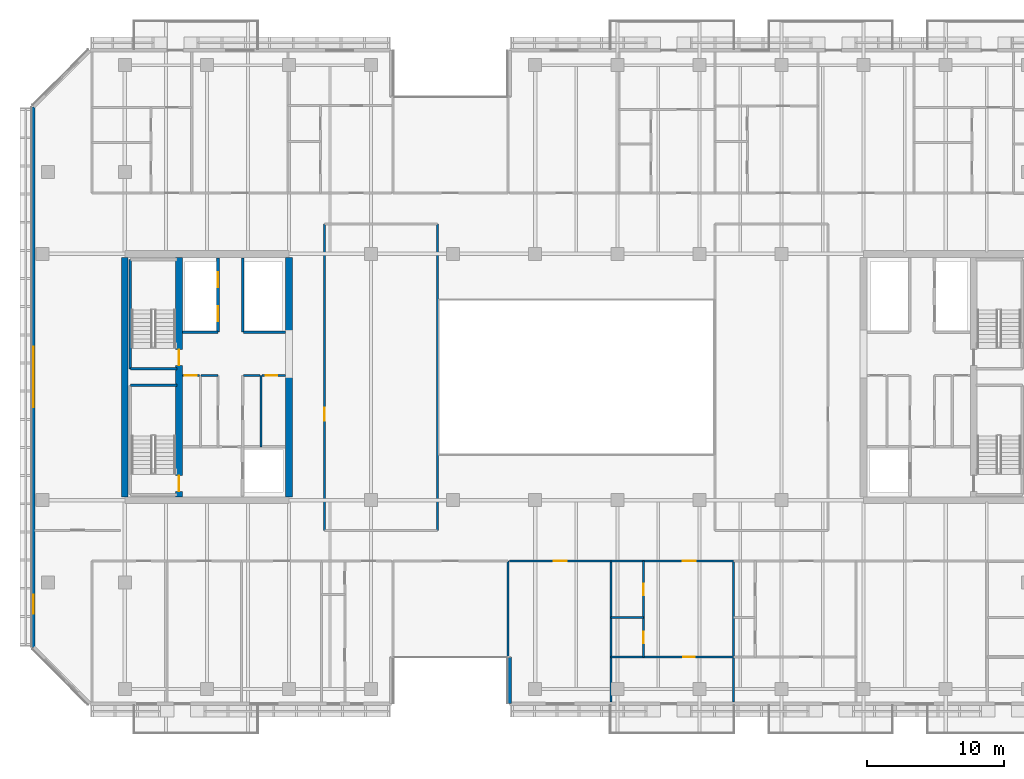
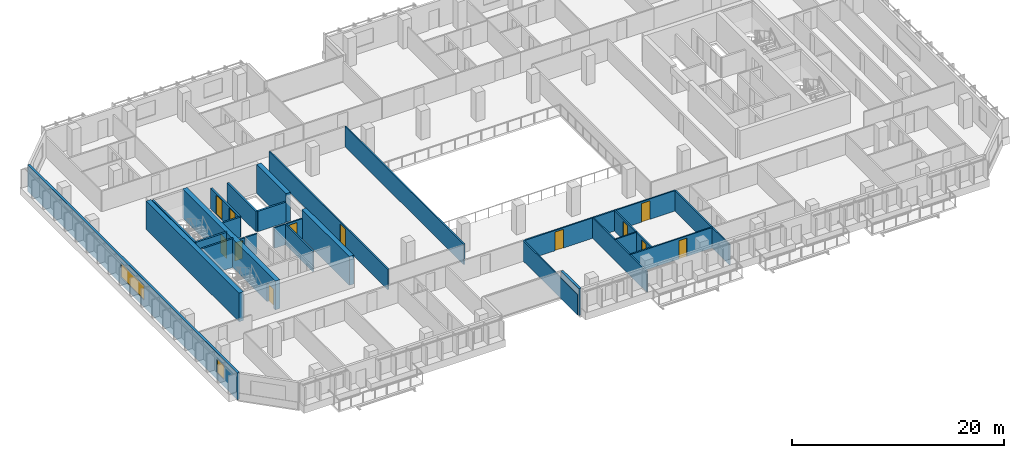
# One storey, part 11 of 23: 28 walls, 12 doors, 2 windows, 14 openings.
"""IFC4 building model written with IfcOpenShell, lengths in metres."""

from ifc_helpers import new_model, si_unit, direction, frame, frame_2d, origin, place, context, subcontext, project, spatial, rectangle, extrude, material, layer, layer_set, type_object, element, fill, save


model = new_model("IFC4")

# Units and contexts
model_context = context("Model", 3, precision=1e-05, world=origin(), true_north=direction((0.0, 1.0)))
body_context = subcontext(model_context, "Body", "Model", "MODEL_VIEW")
ifc_project = project(units=[si_unit("LENGTHUNIT", "METRE"), si_unit("AREAUNIT", "SQUARE_METRE"), si_unit("VOLUMEUNIT", "CUBIC_METRE"), si_unit("PLANEANGLEUNIT", "RADIAN"), si_unit("MASSUNIT", "GRAM", prefix="KILO")], contexts=[model_context])

# Site, building, storey
site_placement = place(None, origin())
site = spatial("IfcSite", under=ifc_project, at=site_placement, CompositionType="ELEMENT")
building_placement = place(site_placement, origin())
building = spatial("IfcBuilding", under=site, at=building_placement, Name="Tanjung Sevakor Pilgrim Tower", CompositionType="ELEMENT")
storey_placement = place(building_placement, frame((0.0, 0.0, 105.27001953125)))
storey = spatial("IfcBuildingStorey", under=building, at=storey_placement, Name="L29", CompositionType="ELEMENT", Elevation=105.27001953125)

# Walls
ifc_material_1 = material(Name="Concrete C60/75", Category="concrete")
ifc_layer_1 = layer(ifc_material_1, 0.5)
ifc_layer_set_1 = layer_set([ifc_layer_1], Name="WALL-CW-500")
wall_type_1 = type_object("IfcWallType", Name="WALL-CW-500", PredefinedType="SHEAR", material=ifc_layer_set_1)
wall_1_placement = place(storey_placement, frame((24.0, 24.85009765625, 0.0), z_axis=(0.0, 0.0, 1.0), x_axis=(0.0, 1.0, 0.0)))
element("IfcWall", 1, at=wall_1_placement, inside=storey, type_object=wall_type_1, Name="L29 W Core Outer Shear Wall", PredefinedType="SHEAR", context=body_context, shape_type="SweptSolid", body=[
    extrude(rectangle(XDim=17.5, YDim=0.5, at=frame_2d((8.75, 0.0))), origin(), (0.0, 0.0, 1.0), 3.300048828125),
])
wall_2_placement = place(storey_placement, frame((36.0, 24.85009765625, 0.0), z_axis=(0.0, 0.0, 1.0), x_axis=(0.0, 1.0, 0.0)))
element("IfcWall", 2, at=wall_2_placement, inside=storey, type_object=wall_type_1, Name="L29 W Core Inner Shear Wall South", PredefinedType="SHEAR", context=body_context, shape_type="SweptSolid", body=[
    extrude(rectangle(XDim=8.949951171875, YDim=0.5, at=frame_2d((4.47509765625, 0.0))), origin(), (0.0, 0.0, 1.0), 3.300048828125),
])
wall_3_placement = place(storey_placement, frame((36.0, 36.800048828125, 0.0), z_axis=(0.0, 0.0, 1.0), x_axis=(0.0, 1.0, 0.0)))
element("IfcWall", 3, at=wall_3_placement, inside=storey, type_object=wall_type_1, Name="L29 W Core Inner Shear Wall North", PredefinedType="SHEAR", context=body_context, shape_type="SweptSolid", body=[
    extrude(rectangle(XDim=5.550048828125, YDim=0.5, at=frame_2d((2.77490234375, 0.0))), origin(), (0.0, 0.0, 1.0), 3.300048828125),
])

# Wall, openings, doors
wall_4_placement = place(storey_placement, frame((27.949951171875, 24.85009765625, 0.0), z_axis=(0.0, 0.0, 1.0), x_axis=(0.0, 1.0, 0.0)))
wall_4 = element("IfcWall", 4, at=wall_4_placement, inside=storey, type_object=wall_type_1, Name="L29 W Core Stair Spine Wall", PredefinedType="SHEAR", context=body_context, shape_type="SweptSolid", body=[
    extrude(rectangle(XDim=17.5, YDim=0.5, at=frame_2d((8.75, 0.0))), origin(), (0.0, 0.0, 1.0), 3.300048828125),
])
opening_1_placement = place(wall_4_placement, frame((0.39990234375, 0.0, 0.0)))
opening_1 = element("IfcOpeningElement", 5, at=opening_1_placement, cuts=wall_4, Name="Opening ID-ST1", PredefinedType="OPENING", context=body_context, shape_type="SweptSolid", body=[
    extrude(rectangle(XDim=1.14990234375, YDim=2.14990234375, at=frame_2d((0.574951171875, 1.074951171875))), frame((0.0, 0.260009765625, 0.0), z_axis=(0.0, -1.0, 0.0), x_axis=(1.0, 0.0, 0.0)), (0.0, 0.0, 1.0), 0.52001953125),
])
opening_2_placement = place(wall_4_placement, frame((9.60009765625, 0.0, 0.0)))
opening_2 = element("IfcOpeningElement", 6, at=opening_2_placement, cuts=wall_4, Name="Opening ID-ST1", PredefinedType="OPENING", context=body_context, shape_type="SweptSolid", body=[
    extrude(rectangle(XDim=1.14990234375, YDim=2.14990234375, at=frame_2d((0.574951171875, 1.074951171875))), frame((0.0, 0.260009765625, 0.0), z_axis=(0.0, -1.0, 0.0), x_axis=(1.0, 0.0, 0.0)), (0.0, 0.0, 1.0), 0.52001953125),
])
ifc_material_2 = material(Name="Fire-Rated Steel S355J2", Category="steel")
door_type_1 = type_object("IfcDoorType", Name="DT-FIRE-1150", OperationType="NOTDEFINED", PredefinedType="DOOR", material=ifc_material_2)
door_1_placement = place(opening_1_placement, origin())
door_1 = element("IfcDoor", 7, at=door_1_placement, inside=storey, type_object=door_type_1, Name="L29 TS-W1 Stair Fire Door", OperationType="SINGLE_SWING_RIGHT", OverallHeight=2.14990234375, OverallWidth=1.14990234375, PredefinedType="DOOR", context=body_context, shape_type="SweptSolid", body=[
    extrude(rectangle(XDim=1.14990234375, YDim=2.14990234375, at=frame_2d((0.574951171875, 1.074951171875))), frame((0.0, 0.02490234375, 0.0), z_axis=(0.0, -1.0, 0.0), x_axis=(1.0, 0.0, 0.0)), (0.0, 0.0, 1.0), 0.050048828125),
])
fill(opening_1, door_1)
door_2_placement = place(opening_2_placement, origin())
door_2 = element("IfcDoor", 8, at=door_2_placement, inside=storey, type_object=door_type_1, Name="L29 TS-W2 Stair Fire Door", OperationType="SINGLE_SWING_LEFT", OverallHeight=2.14990234375, OverallWidth=1.14990234375, PredefinedType="DOOR", context=body_context, shape_type="SweptSolid", body=[
    extrude(rectangle(XDim=1.14990234375, YDim=2.14990234375, at=frame_2d((0.574951171875, 1.074951171875))), frame((0.0, 0.02490234375, 0.0), z_axis=(0.0, -1.0, 0.0), x_axis=(1.0, 0.0, 0.0)), (0.0, 0.0, 1.0), 0.050048828125),
])
fill(opening_2, door_2)

# Wall, opening, door
ifc_material_3 = material(Name="Concrete C40/50", Category="concrete")
ifc_layer_2 = layer(ifc_material_3, 0.14990234375)
ifc_layer_set_2 = layer_set([ifc_layer_2], Name="WT-COMP-150")
wall_type_2 = type_object("IfcWallType", Name="WT-COMP-150", PredefinedType="SOLIDWALL", material=ifc_layer_set_2)
wall_5_placement = place(storey_placement, frame((28.219970703125, 33.719970703125, 0.0), z_axis=(0.0, 0.0, 1.0), x_axis=(1.0, 0.0, 0.0)))
wall_5 = element("IfcWall", 9, at=wall_5_placement, inside=storey, type_object=wall_type_2, Name="L29 Partition IW-L29-004", PredefinedType="SOLIDWALL", context=body_context, shape_type="SweptSolid", body=[
    extrude(rectangle(XDim=1.22998046875, YDim=0.14990234375, at=frame_2d((0.614990234375, 0.0))), origin(), (0.0, 0.0, 1.0), 2.35009765625),
])
opening_3_placement = place(wall_5_placement, frame((0.179931640625, 0.0, 0.0)))
opening_3 = element("IfcOpeningElement", 10, at=opening_3_placement, cuts=wall_5, Name="Opening ID-FD3", PredefinedType="OPENING", context=body_context, shape_type="SweptSolid", body=[
    extrude(rectangle(XDim=0.85009765625, YDim=2.10009765625, at=frame_2d((0.425048828125, 1.050048828125))), frame((0.0, 0.0849609375, 0.0), z_axis=(0.0, -1.0, 0.0), x_axis=(1.0, 0.0, 0.0)), (0.0, 0.0, 1.0), 0.169921875),
])
ifc_material_4 = material(Name="Fire-Rated Timber", Category="wood")
door_type_2 = type_object("IfcDoorType", Name="DT-FIRE-850", OperationType="NOTDEFINED", PredefinedType="DOOR", material=ifc_material_4)
door_3_placement = place(opening_3_placement, origin())
door_3 = element("IfcDoor", 11, at=door_3_placement, inside=storey, type_object=door_type_2, Name="L29 Cleaner Store Door", OperationType="SINGLE_SWING_LEFT", OverallHeight=2.10009765625, OverallWidth=0.85009765625, PredefinedType="DOOR", context=body_context, shape_type="SweptSolid", body=[
    extrude(rectangle(XDim=0.85009765625, YDim=2.10009765625, at=frame_2d((0.425048828125, 1.050048828125))), frame((0.0, 0.02490234375, 0.0), z_axis=(0.0, -1.0, 0.0), x_axis=(1.0, 0.0, 0.0)), (0.0, 0.0, 1.0), 0.050048828125),
])
fill(opening_3, door_3)

# Walls
wall_6_placement = place(storey_placement, frame((29.580078125, 33.719970703125, 0.0), z_axis=(0.0, 0.0, 1.0), x_axis=(1.0, 0.0, 0.0)))
element("IfcWall", 12, at=wall_6_placement, inside=storey, type_object=wall_type_2, Name="L29 Partition IW-L29-005", PredefinedType="SOLIDWALL", context=body_context, shape_type="SweptSolid", body=[
    extrude(rectangle(XDim=1.219970703125, YDim=0.14990234375, at=frame_2d((0.60986328125, 0.0))), origin(), (0.0, 0.0, 1.0), 2.35009765625),
])
wall_7_placement = place(storey_placement, frame((33.949951171875, 28.5, 0.0), z_axis=(0.0, 0.0, 1.0), x_axis=(0.0, 1.0, 0.0)))
element("IfcWall", 13, at=wall_7_placement, inside=storey, type_object=wall_type_2, Name="L29 Partition IW-L29-007", PredefinedType="SOLIDWALL", context=body_context, shape_type="SweptSolid", body=[
    extrude(rectangle(XDim=5.219970703125, YDim=0.14990234375, at=frame_2d((2.60986328125, 0.0))), origin(), (0.0, 0.0, 1.0), 2.35009765625),
])
wall_8_placement = place(storey_placement, frame((32.679931640625, 33.719970703125, 0.0), z_axis=(0.0, 0.0, 1.0), x_axis=(1.0, 0.0, 0.0)))
element("IfcWall", 14, at=wall_8_placement, inside=storey, type_object=wall_type_2, Name="L29 Partition IW-L29-008", PredefinedType="SOLIDWALL", context=body_context, shape_type="SweptSolid", body=[
    extrude(rectangle(XDim=1.2099609375, YDim=0.14990234375, at=frame_2d((0.60498046875, 0.0))), origin(), (0.0, 0.0, 1.0), 2.35009765625),
])

# Wall, opening, door
wall_9_placement = place(storey_placement, frame((34.010009765625, 33.719970703125, 0.0), z_axis=(0.0, 0.0, 1.0), x_axis=(1.0, 0.0, 0.0)))
wall_9 = element("IfcWall", 15, at=wall_9_placement, inside=storey, type_object=wall_type_2, Name="L29 Partition IW-L29-009", PredefinedType="SOLIDWALL", context=body_context, shape_type="SweptSolid", body=[
    extrude(rectangle(XDim=1.719970703125, YDim=0.14990234375, at=frame_2d((0.85986328125, 0.0))), origin(), (0.0, 0.0, 1.0), 2.35009765625),
])
opening_4_placement = place(wall_9_placement, frame((0.280029296875, 0.0, 0.0)))
opening_4 = element("IfcOpeningElement", 16, at=opening_4_placement, cuts=wall_9, Name="Opening ID-FD3", PredefinedType="OPENING", context=body_context, shape_type="SweptSolid", body=[
    extrude(rectangle(XDim=0.85009765625, YDim=2.10009765625, at=frame_2d((0.425048828125, 1.050048828125))), frame((0.0, 0.0849609375, 0.0), z_axis=(0.0, -1.0, 0.0), x_axis=(1.0, 0.0, 0.0)), (0.0, 0.0, 1.0), 0.169921875),
])
door_4_placement = place(opening_4_placement, origin())
door_4 = element("IfcDoor", 17, at=door_4_placement, inside=storey, type_object=door_type_2, Name="L29 Service Store Door", OperationType="SINGLE_SWING_LEFT", OverallHeight=2.10009765625, OverallWidth=0.85009765625, PredefinedType="DOOR", context=body_context, shape_type="SweptSolid", body=[
    extrude(rectangle(XDim=0.85009765625, YDim=2.10009765625, at=frame_2d((0.425048828125, 1.050048828125))), frame((0.0, 0.02490234375, 0.0), z_axis=(0.0, -1.0, 0.0), x_axis=(1.0, 0.0, 0.0)), (0.0, 0.0, 1.0), 0.050048828125),
])
fill(opening_4, door_4)

wall_10_placement = place(storey_placement, frame((38.60009765625, 22.39990234375, 0.0), z_axis=(0.0, 0.0, 1.0), x_axis=(0.0, 1.0, 0.0)))
wall_10 = element("IfcWall", 18, at=wall_10_placement, inside=storey, type_object=wall_type_2, Name="L29 Partition IW-L29-031", PredefinedType="SOLIDWALL", context=body_context, shape_type="SweptSolid", body=[
    extrude(rectangle(XDim=22.400146484375, YDim=0.14990234375, at=frame_2d((11.2001953125, 0.0))), origin(), (0.0, 0.0, 1.0), 2.35009765625),
])
opening_5_placement = place(wall_10_placement, frame((8.02490234375, 0.0, 0.0)))
opening_5 = element("IfcOpeningElement", 19, at=opening_5_placement, cuts=wall_10, Name="Opening ID-RM1", PredefinedType="OPENING", context=body_context, shape_type="SweptSolid", body=[
    extrude(rectangle(XDim=0.949951171875, YDim=2.14990234375, at=frame_2d((0.47509765625, 1.074951171875))), frame((0.0, 0.0849609375, 0.0), z_axis=(0.0, -1.0, 0.0), x_axis=(1.0, 0.0, 0.0)), (0.0, 0.0, 1.0), 0.169921875),
])
ifc_material_5 = material(Name="Hardwood Timber", Category="wood")
door_type_3 = type_object("IfcDoorType", Name="DT-INT-950", OperationType="NOTDEFINED", PredefinedType="DOOR", material=ifc_material_5)
door_5_placement = place(opening_5_placement, origin())
door_5 = element("IfcDoor", 20, at=door_5_placement, inside=storey, type_object=door_type_3, Name="L29 Central West Room Door", OperationType="SINGLE_SWING_LEFT", OverallHeight=2.14990234375, OverallWidth=0.949951171875, PredefinedType="DOOR", context=body_context, shape_type="SweptSolid", body=[
    extrude(rectangle(XDim=0.949951171875, YDim=2.14990234375, at=frame_2d((0.47509765625, 1.074951171875))), frame((0.0, 0.02490234375, 0.0), z_axis=(0.0, -1.0, 0.0), x_axis=(1.0, 0.0, 0.0)), (0.0, 0.0, 1.0), 0.050048828125),
])
fill(opening_5, door_5)

# Walls
wall_11_placement = place(storey_placement, frame((46.85009765625, 22.39990234375, 0.0), z_axis=(0.0, 0.0, 1.0), x_axis=(0.0, 1.0, 0.0)))
element("IfcWall", 21, at=wall_11_placement, inside=storey, type_object=wall_type_2, Name="L29 Partition IW-L29-032", PredefinedType="SOLIDWALL", context=body_context, shape_type="SweptSolid", body=[
    extrude(rectangle(XDim=22.400146484375, YDim=0.14990234375, at=frame_2d((11.2001953125, 0.0))), origin(), (0.0, 0.0, 1.0), 2.35009765625),
])
for number, where, z_axis, x_axis, name in (
    (22, (52.0, 9.85009765625, 0.0), (0.0, 0.0, 1.0), (0.0, 1.0, 0.0), "L29 Partition IW-L29-047"),
    (23, (59.536376953125, 9.85009765625, 0.0), (0.0, 0.0, 1.0), (0.0, 1.0, 0.0), "L29 Partition IW-L29-062"),
):
    element("IfcWall", number, at=place(storey_placement, frame(where, z_axis=z_axis, x_axis=x_axis)), inside=storey, type_object=wall_type_2, Name=name, PredefinedType="SOLIDWALL", context=body_context, shape_type="SweptSolid", body=[
        extrude(rectangle(XDim=10.2998046875, YDim=0.14990234375, at=frame_2d((5.14990234375, 0.0))), origin(), (0.0, 0.0, 1.0), 2.35009765625),
    ])

# Wall, opening, door
wall_12_placement = place(storey_placement, frame((52.1201171875, 20.14990234375, 0.0), z_axis=(0.0, 0.0, 1.0), x_axis=(1.0, 0.0, 0.0)))
wall_12 = element("IfcWall", 24, at=wall_12_placement, inside=storey, type_object=wall_type_2, Name="L29 Partition IW-L29-063", PredefinedType="SOLIDWALL", context=body_context, shape_type="SweptSolid", body=[
    extrude(rectangle(XDim=7.416259765625, YDim=0.14990234375, at=frame_2d((3.7080078125, 0.0))), origin(), (0.0, 0.0, 1.0), 2.35009765625),
])
opening_6_placement = place(wall_12_placement, frame((3.233154296875, 0.0, 0.0)))
opening_6 = element("IfcOpeningElement", 25, at=opening_6_placement, cuts=wall_12, Name="Opening ID-FD2", PredefinedType="OPENING", context=body_context, shape_type="SweptSolid", body=[
    extrude(rectangle(XDim=0.949951171875, YDim=2.14990234375, at=frame_2d((0.47509765625, 1.074951171875))), frame((0.0, 0.0849609375, 0.0), z_axis=(0.0, -1.0, 0.0), x_axis=(1.0, 0.0, 0.0)), (0.0, 0.0, 1.0), 0.169921875),
])
ifc_material_6 = material(Name="Fire-Rated Timber", Category="wood")
door_type_4 = type_object("IfcDoorType", Name="DT-FIRE-950", OperationType="NOTDEFINED", PredefinedType="DOOR", material=ifc_material_6)
door_6_placement = place(opening_6_placement, origin())
door_6 = element("IfcDoor", 26, at=door_6_placement, inside=storey, type_object=door_type_4, Name="Housekeeping Pantry Door", OperationType="SINGLE_SWING_LEFT", OverallHeight=2.14990234375, OverallWidth=0.949951171875, PredefinedType="DOOR", context=body_context, shape_type="SweptSolid", body=[
    extrude(rectangle(XDim=0.949951171875, YDim=2.14990234375, at=frame_2d((0.47509765625, 1.074951171875))), frame((0.0, 0.02490234375, 0.0), z_axis=(0.0, -1.0, 0.0), x_axis=(1.0, 0.0, 0.0)), (0.0, 0.0, 1.0), 0.050048828125),
])
fill(opening_6, door_6)

# Wall
wall_13_placement = place(storey_placement, frame((68.497802734375, 9.85009765625, 0.0), z_axis=(0.0, 0.0, 1.0), x_axis=(0.0, 1.0, 0.0)))
element("IfcWall", 27, at=wall_13_placement, inside=storey, type_object=wall_type_2, Name="L29 Partition IW-L29-064", PredefinedType="SOLIDWALL", context=body_context, shape_type="SweptSolid", body=[
    extrude(rectangle(XDim=10.2998046875, YDim=0.14990234375, at=frame_2d((5.14990234375, 0.0))), origin(), (0.0, 0.0, 1.0), 2.35009765625),
])

# Wall, opening, door
wall_14_placement = place(storey_placement, frame((59.536376953125, 20.14990234375, 0.0), z_axis=(0.0, 0.0, 1.0), x_axis=(1.0, 0.0, 0.0)))
wall_14 = element("IfcWall", 28, at=wall_14_placement, inside=storey, type_object=wall_type_2, Name="L29 Partition IW-L29-068", PredefinedType="SOLIDWALL", context=body_context, shape_type="SweptSolid", body=[
    extrude(rectangle(XDim=8.96142578125, YDim=0.14990234375, at=frame_2d((4.480712890625, 0.0))), origin(), (0.0, 0.0, 1.0), 2.35009765625),
])
opening_7_placement = place(wall_14_placement, frame((5.237548828125, 0.0, 0.0)))
opening_7 = element("IfcOpeningElement", 29, at=opening_7_placement, cuts=wall_14, Name="Opening ID-FD2", PredefinedType="OPENING", context=body_context, shape_type="SweptSolid", body=[
    extrude(rectangle(XDim=0.949951171875, YDim=2.14990234375, at=frame_2d((0.47509765625, 1.074951171875))), frame((0.0, 0.0849609375, 0.0), z_axis=(0.0, -1.0, 0.0), x_axis=(1.0, 0.0, 0.0)), (0.0, 0.0, 1.0), 0.169921875),
])
door_7_placement = place(opening_7_placement, origin())
door_7 = element("IfcDoor", 30, at=door_7_placement, inside=storey, type_object=door_type_4, Name="Residence Entrance", OperationType="SINGLE_SWING_LEFT", OverallHeight=2.14990234375, OverallWidth=0.949951171875, PredefinedType="DOOR", context=body_context, shape_type="SweptSolid", body=[
    extrude(rectangle(XDim=0.949951171875, YDim=2.14990234375, at=frame_2d((0.47509765625, 1.074951171875))), frame((0.0, 0.02490234375, 0.0), z_axis=(0.0, -1.0, 0.0), x_axis=(1.0, 0.0, 0.0)), (0.0, 0.0, 1.0), 0.050048828125),
])
fill(opening_7, door_7)

# Wall
ifc_material_7 = material(Name="Precast concrete C45/55", Category="concrete")
ifc_layer_3 = layer(ifc_material_7, 0.25)
ifc_layer_set_3 = layer_set([ifc_layer_3], Name="WT-EW-STN3")
wall_type_3 = type_object("IfcWallType", Name="WT-EW-STN3", PredefinedType="SOLIDWALL", material=ifc_layer_set_3)
wall_15_placement = place(storey_placement, frame((52.125, 13.125, 0.0), z_axis=(0.0, 0.0, 1.0), x_axis=(0.0, -1.0, 0.0)))
element("IfcWall", 31, at=wall_15_placement, inside=storey, type_object=wall_type_3, Name="L29 MAIN Exterior Wall 4", PredefinedType="SOLIDWALL", context=body_context, shape_type="SweptSolid", body=[
    extrude(rectangle(XDim=3.39990234375, YDim=0.25, at=frame_2d((1.699951171875, 0.0))), origin(), (0.0, 0.0, 1.0), 3.080078125),
])

# Wall, openings, windows
wall_16_placement = place(storey_placement, frame((17.324951171875, 53.34814453125, 0.0), z_axis=(0.0, 0.0, 1.0), x_axis=(0.0, -1.0, 0.0)))
wall_16 = element("IfcWall", 32, at=wall_16_placement, inside=storey, type_object=wall_type_3, Name="L29 MAIN Exterior Wall 15", PredefinedType="SOLIDWALL", context=body_context, shape_type="SweptSolid", body=[
    extrude(rectangle(XDim=39.496337890625, YDim=0.25, at=frame_2d((19.748046875, 0.0))), origin(), (0.0, 0.0, 1.0), 3.080078125),
])
opening_8_placement = place(wall_16_placement, frame((17.548095703125, 0.0, 0.780029296875)))
opening_8 = element("IfcOpeningElement", 33, at=opening_8_placement, cuts=wall_16, Name="Opening WN-ENDW-1660", PredefinedType="OPENING", context=body_context, shape_type="SweptSolid", body=[
    extrude(rectangle(XDim=4.39990234375, YDim=1.659912109375, at=frame_2d((2.199951171875, 0.830078125))), frame((0.0, 0.135009765625, 0.0), z_axis=(0.0, -1.0, 0.0), x_axis=(1.0, 0.0, 0.0)), (0.0, 0.0, 1.0), 0.27001953125),
])
opening_9_placement = place(wall_16_placement, frame((35.642333984375, 0.0, 0.780029296875)))
opening_9 = element("IfcOpeningElement", 34, at=opening_9_placement, cuts=wall_16, Name="Opening WN-END", PredefinedType="OPENING", context=body_context, shape_type="SweptSolid", body=[
    extrude(rectangle(XDim=1.39990234375, YDim=1.64990234375, at=frame_2d((0.699951171875, 0.824951171875))), frame((0.0, 0.135009765625, 0.0), z_axis=(0.0, -1.0, 0.0), x_axis=(1.0, 0.0, 0.0)), (0.0, 0.0, 1.0), 0.27001953125),
])
ifc_material_8 = material(Name="Thermally Broken Aluminium and Low-E Glass", Category="aluminium")
window_type_1 = type_object("IfcWindowType", Name="WTYP-WN-END", PartitioningType="SINGLE_PANEL", PredefinedType="WINDOW", material=ifc_material_8)
window_1_placement = place(opening_9_placement, origin())
window_1 = element("IfcWindow", 35, at=window_1_placement, inside=storey, type_object=window_type_1, Name="L29 Facade Window 02", OverallHeight=1.64990234375, OverallWidth=1.39990234375, PartitioningType="SINGLE_PANEL", PredefinedType="WINDOW", context=body_context, shape_type="SweptSolid", body=[
    extrude(rectangle(XDim=1.39990234375, YDim=1.64990234375, at=frame_2d((0.699951171875, 0.824951171875))), frame((0.0, 0.030029296875, 0.0), z_axis=(0.0, -1.0, 0.0), x_axis=(1.0, 0.0, 0.0)), (0.0, 0.0, 1.0), 0.06005859375),
])
fill(opening_9, window_1)
ifc_material_9 = material(Name="Thermally Broken Aluminium and Low-E Glass", Category="aluminium")
window_type_2 = type_object("IfcWindowType", Name="WTYP-WN-ENDW-1660", PartitioningType="DOUBLE_PANEL_VERTICAL", PredefinedType="WINDOW", material=ifc_material_9)
window_2_placement = place(opening_8_placement, origin())
window_2 = element("IfcWindow", 36, at=window_2_placement, inside=storey, type_object=window_type_2, Name="L29 Facade Window 01", OverallHeight=1.659912109375, OverallWidth=4.39990234375, PartitioningType="SINGLE_PANEL", PredefinedType="WINDOW", context=body_context, shape_type="SweptSolid", body=[
    extrude(rectangle(XDim=4.39990234375, YDim=1.659912109375, at=frame_2d((2.199951171875, 0.830078125))), frame((0.0, 0.030029296875, 0.0), z_axis=(0.0, -1.0, 0.0), x_axis=(1.0, 0.0, 0.0)), (0.0, 0.0, 1.0), 0.06005859375),
])
fill(opening_8, window_2)

# Walls
ifc_material_10 = material(Name="Concrete C40/50", Category="concrete")
ifc_layer_4 = layer(ifc_material_10, 0.199951171875)
ifc_layer_set_4 = layer_set([ifc_layer_4], Name="WT-FIRE-200")
wall_type_4 = type_object("IfcWallType", Name="WT-FIRE-200", PredefinedType="SOLIDWALL", material=ifc_layer_set_4)
for number, where, z_axis, x_axis, name in (
    (37, (27.800048828125, 33.0, 0.0), (0.0, 0.0, 1.0), (-1.0, 0.0, 0.0), "L29 TS-W1 Shaft Wall 2"),
    (38, (24.39990234375, 34.199951171875, 0.0), (0.0, 0.0, 1.0), (1.0, 0.0, 0.0), "L29 TS-W2 Shaft Wall 1"),
):
    element("IfcWall", number, at=place(storey_placement, frame(where, z_axis=z_axis, x_axis=x_axis)), inside=storey, type_object=wall_type_4, Name=name, PredefinedType="SOLIDWALL", context=body_context, shape_type="SweptSolid", body=[
        extrude(rectangle(XDim=3.400146484375, YDim=0.199951171875, at=frame_2d((1.7001953125, 0.0))), origin(), (0.0, 0.0, 1.0), 3.300048828125),
    ])
wall_17_placement = place(storey_placement, frame((24.39990234375, 42.199951171875, 0.0), z_axis=(0.0, 0.0, 1.0), x_axis=(0.0, -1.0, 0.0)))
element("IfcWall", 39, at=wall_17_placement, inside=storey, type_object=wall_type_4, Name="L29 TS-W2 Shaft Wall 3", PredefinedType="SOLIDWALL", context=body_context, shape_type="SweptSolid", body=[
    extrude(rectangle(XDim=8.0, YDim=0.199951171875, at=frame_2d((4.0, 0.0))), origin(), (0.0, 0.0, 1.0), 3.300048828125),
])
ifc_material_11 = material(Name="Concrete C40/50", Category="concrete")
ifc_layer_5 = layer(ifc_material_11, 0.199951171875)
ifc_layer_set_5 = layer_set([ifc_layer_5], Name="WT-FPRT-200")
wall_type_5 = type_object("IfcWallType", Name="WT-FPRT-200", PredefinedType="SOLIDWALL", material=ifc_layer_set_5)
wall_18_placement = place(storey_placement, frame((28.219970703125, 36.8798828125, 0.0), z_axis=(0.0, 0.0, 1.0), x_axis=(1.0, 0.0, 0.0)))
element("IfcWall", 40, at=wall_18_placement, inside=storey, type_object=wall_type_5, Name="L29 Partition IW-L29-011", PredefinedType="SOLIDWALL", context=body_context, shape_type="SweptSolid", body=[
    extrude(rectangle(XDim=2.580078125, YDim=0.199951171875, at=frame_2d((1.2900390625, 0.0))), origin(), (0.0, 0.0, 1.0), 2.35009765625),
])

# Wall, openings, doors
wall_19_placement = place(storey_placement, frame((30.820068359375, 36.8798828125, 0.0), z_axis=(0.0, 0.0, 1.0), x_axis=(0.0, 1.0, 0.0)))
wall_19 = element("IfcWall", 41, at=wall_19_placement, inside=storey, type_object=wall_type_5, Name="L29 Partition IW-L29-012", PredefinedType="SOLIDWALL", context=body_context, shape_type="SweptSolid", body=[
    extrude(rectangle(XDim=5.420166015625, YDim=0.199951171875, at=frame_2d((2.7099609375, 0.0))), origin(), (0.0, 0.0, 1.0), 2.35009765625),
])
opening_10_placement = place(wall_19_placement, frame((0.800048828125, 0.0, 0.0)))
opening_10 = element("IfcOpeningElement", 42, at=opening_10_placement, cuts=wall_19, Name="Opening LD-1100", PredefinedType="OPENING", context=body_context, shape_type="SweptSolid", body=[
    extrude(rectangle(XDim=1.10009765625, YDim=2.199951171875, at=frame_2d((0.550048828125, 1.10009765625))), frame((0.0, 0.10986328125, 0.0), z_axis=(0.0, -1.0, 0.0), x_axis=(1.0, 0.0, 0.0)), (0.0, 0.0, 1.0), 0.219970703125),
])
opening_11_placement = place(wall_19_placement, frame((3.300048828125, 0.0, 0.0)))
opening_11 = element("IfcOpeningElement", 43, at=opening_11_placement, cuts=wall_19, Name="Opening LD-1100", PredefinedType="OPENING", context=body_context, shape_type="SweptSolid", body=[
    extrude(rectangle(XDim=1.10009765625, YDim=2.199951171875, at=frame_2d((0.550048828125, 1.10009765625))), frame((0.0, 0.10986328125, 0.0), z_axis=(0.0, -1.0, 0.0), x_axis=(1.0, 0.0, 0.0)), (0.0, 0.0, 1.0), 0.219970703125),
])
ifc_material_12 = material(Name="Brushed Stainless Steel S355J2", Category="steel")
door_type_5 = type_object("IfcDoorType", Name="DT-LIFT-1100", OperationType="SLIDING_TO_LEFT", PredefinedType="DOOR", material=ifc_material_12)
door_8_placement = place(opening_10_placement, origin())
door_8 = element("IfcDoor", 44, at=door_8_placement, inside=storey, type_object=door_type_5, Name="LD-PLM1-W", OperationType="SLIDING_TO_LEFT", OverallHeight=2.199951171875, OverallWidth=1.10009765625, PredefinedType="DOOR", context=body_context, shape_type="SweptSolid", body=[
    extrude(rectangle(XDim=1.10009765625, YDim=2.199951171875, at=frame_2d((0.550048828125, 1.10009765625))), frame((0.0, 0.02490234375, 0.0), z_axis=(0.0, -1.0, 0.0), x_axis=(1.0, 0.0, 0.0)), (0.0, 0.0, 1.0), 0.050048828125),
])
fill(opening_10, door_8)
door_9_placement = place(opening_11_placement, origin())
door_9 = element("IfcDoor", 45, at=door_9_placement, inside=storey, type_object=door_type_5, Name="LD-PLM2-W", OperationType="SLIDING_TO_RIGHT", OverallHeight=2.199951171875, OverallWidth=1.10009765625, PredefinedType="DOOR", context=body_context, shape_type="SweptSolid", body=[
    extrude(rectangle(XDim=1.10009765625, YDim=2.199951171875, at=frame_2d((0.550048828125, 1.10009765625))), frame((0.0, 0.02490234375, 0.0), z_axis=(0.0, -1.0, 0.0), x_axis=(1.0, 0.0, 0.0)), (0.0, 0.0, 1.0), 0.050048828125),
])
fill(opening_11, door_9)

# Walls
wall_20_placement = place(storey_placement, frame((32.679931640625, 36.8798828125, 0.0), z_axis=(0.0, 0.0, 1.0), x_axis=(1.0, 0.0, 0.0)))
element("IfcWall", 46, at=wall_20_placement, inside=storey, type_object=wall_type_5, Name="L29 Partition IW-L29-013", PredefinedType="SOLIDWALL", context=body_context, shape_type="SweptSolid", body=[
    extrude(rectangle(XDim=3.050048828125, YDim=0.199951171875, at=frame_2d((1.52490234375, 0.0))), origin(), (0.0, 0.0, 1.0), 2.35009765625),
])
wall_21_placement = place(storey_placement, frame((32.6201171875, 36.8798828125, 0.0), z_axis=(0.0, 0.0, 1.0), x_axis=(0.0, 1.0, 0.0)))
element("IfcWall", 47, at=wall_21_placement, inside=storey, type_object=wall_type_5, Name="L29 Partition IW-L29-014", PredefinedType="SOLIDWALL", context=body_context, shape_type="SweptSolid", body=[
    extrude(rectangle(XDim=5.420166015625, YDim=0.199951171875, at=frame_2d((2.7099609375, 0.0))), origin(), (0.0, 0.0, 1.0), 2.35009765625),
])
ifc_material_13 = material(Name="Gypsum Board Partition", Category="gypsum board")
ifc_layer_6 = layer(ifc_material_13, 0.14990234375)
ifc_layer_set_6 = layer_set([ifc_layer_6], Name="WT-PART-150")
wall_type_6 = type_object("IfcWallType", Name="WT-PART-150", PredefinedType="PARTITIONING", material=ifc_layer_set_6)
wall_22_placement = place(storey_placement, frame((59.536376953125, 16.01513671875, 0.0), z_axis=(0.0, 0.0, 1.0), x_axis=(1.0, 0.0, 0.0)))
element("IfcWall", 48, at=wall_22_placement, inside=storey, type_object=wall_type_6, Name="L29 Partition IW-L29-065", PredefinedType="PARTITIONING", context=body_context, shape_type="SweptSolid", body=[
    extrude(rectangle(XDim=2.383544921875, YDim=0.14990234375, at=frame_2d((1.19189453125, 0.0))), origin(), (0.0, 0.0, 1.0), 2.35009765625),
])

# Wall, openings, doors
wall_23_placement = place(storey_placement, frame((61.919921875, 13.141845703125, 0.0), z_axis=(0.0, 0.0, 1.0), x_axis=(0.0, 1.0, 0.0)))
wall_23 = element("IfcWall", 49, at=wall_23_placement, inside=storey, type_object=wall_type_6, Name="L29 Partition IW-L29-066", PredefinedType="PARTITIONING", context=body_context, shape_type="SweptSolid", body=[
    extrude(rectangle(XDim=7.008056640625, YDim=0.14990234375, at=frame_2d((3.50390625, 0.0))), origin(), (0.0, 0.0, 1.0), 2.35009765625),
])
opening_12_placement = place(wall_23_placement, frame((1.01171875, 0.0, 0.0)))
opening_12 = element("IfcOpeningElement", 50, at=opening_12_placement, cuts=wall_23, Name="Opening ID-WC1", PredefinedType="OPENING", context=body_context, shape_type="SweptSolid", body=[
    extrude(rectangle(XDim=0.85009765625, YDim=2.10009765625, at=frame_2d((0.425048828125, 1.050048828125))), frame((0.0, 0.0849609375, 0.0), z_axis=(0.0, -1.0, 0.0), x_axis=(1.0, 0.0, 0.0)), (0.0, 0.0, 1.0), 0.169921875),
])
opening_13_placement = place(wall_23_placement, frame((4.515625, 0.0, 0.0)))
opening_13 = element("IfcOpeningElement", 51, at=opening_13_placement, cuts=wall_23, Name="Opening ID-WC1", PredefinedType="OPENING", context=body_context, shape_type="SweptSolid", body=[
    extrude(rectangle(XDim=0.85009765625, YDim=2.10009765625, at=frame_2d((0.425048828125, 1.050048828125))), frame((0.0, 0.0849609375, 0.0), z_axis=(0.0, -1.0, 0.0), x_axis=(1.0, 0.0, 0.0)), (0.0, 0.0, 1.0), 0.169921875),
])
ifc_material_14 = material(Name="Moisture-Resistant Timber", Category="wood")
door_type_6 = type_object("IfcDoorType", Name="DT-INT-850", OperationType="NOTDEFINED", PredefinedType="DOOR", material=ifc_material_14)
door_10_placement = place(opening_12_placement, origin())
door_10 = element("IfcDoor", 52, at=door_10_placement, inside=storey, type_object=door_type_6, Name="Residence Bathroom Door", OperationType="SINGLE_SWING_RIGHT", OverallHeight=2.10009765625, OverallWidth=0.85009765625, PredefinedType="DOOR", context=body_context, shape_type="SweptSolid", body=[
    extrude(rectangle(XDim=0.85009765625, YDim=2.10009765625, at=frame_2d((0.425048828125, 1.050048828125))), frame((0.0, 0.02490234375, 0.0), z_axis=(0.0, -1.0, 0.0), x_axis=(1.0, 0.0, 0.0)), (0.0, 0.0, 1.0), 0.050048828125),
])
fill(opening_12, door_10)
door_11_placement = place(opening_13_placement, origin())
door_11 = element("IfcDoor", 53, at=door_11_placement, inside=storey, type_object=door_type_6, Name="Residence Kitchenette Door", OperationType="SINGLE_SWING_LEFT", OverallHeight=2.10009765625, OverallWidth=0.85009765625, PredefinedType="DOOR", context=body_context, shape_type="SweptSolid", body=[
    extrude(rectangle(XDim=0.85009765625, YDim=2.10009765625, at=frame_2d((0.425048828125, 1.050048828125))), frame((0.0, 0.02490234375, 0.0), z_axis=(0.0, -1.0, 0.0), x_axis=(1.0, 0.0, 0.0)), (0.0, 0.0, 1.0), 0.050048828125),
])
fill(opening_13, door_11)

# Wall, opening, door
wall_24_placement = place(storey_placement, frame((59.536376953125, 13.141845703125, 0.0), z_axis=(0.0, 0.0, 1.0), x_axis=(1.0, 0.0, 0.0)))
wall_24 = element("IfcWall", 54, at=wall_24_placement, inside=storey, type_object=wall_type_6, Name="L29 Partition IW-L29-067", PredefinedType="PARTITIONING", context=body_context, shape_type="SweptSolid", body=[
    extrude(rectangle(XDim=8.96142578125, YDim=0.14990234375, at=frame_2d((4.480712890625, 0.0))), origin(), (0.0, 0.0, 1.0), 2.35009765625),
])
opening_14_placement = place(wall_24_placement, frame((5.28759765625, 0.0, 0.0)))
opening_14 = element("IfcOpeningElement", 55, at=opening_14_placement, cuts=wall_24, Name="Opening ID-WC1", PredefinedType="OPENING", context=body_context, shape_type="SweptSolid", body=[
    extrude(rectangle(XDim=0.85009765625, YDim=2.10009765625, at=frame_2d((0.425048828125, 1.050048828125))), frame((0.0, 0.0849609375, 0.0), z_axis=(0.0, -1.0, 0.0), x_axis=(1.0, 0.0, 0.0)), (0.0, 0.0, 1.0), 0.169921875),
])
door_12_placement = place(opening_14_placement, origin())
door_12 = element("IfcDoor", 56, at=door_12_placement, inside=storey, type_object=door_type_6, Name="Residence Bedroom Door", OperationType="SINGLE_SWING_RIGHT", OverallHeight=2.10009765625, OverallWidth=0.85009765625, PredefinedType="DOOR", context=body_context, shape_type="SweptSolid", body=[
    extrude(rectangle(XDim=0.85009765625, YDim=2.10009765625, at=frame_2d((0.425048828125, 1.050048828125))), frame((0.0, 0.02490234375, 0.0), z_axis=(0.0, -1.0, 0.0), x_axis=(1.0, 0.0, 0.0)), (0.0, 0.0, 1.0), 0.050048828125),
])
fill(opening_14, door_12)

save(model, "model.ifc")
